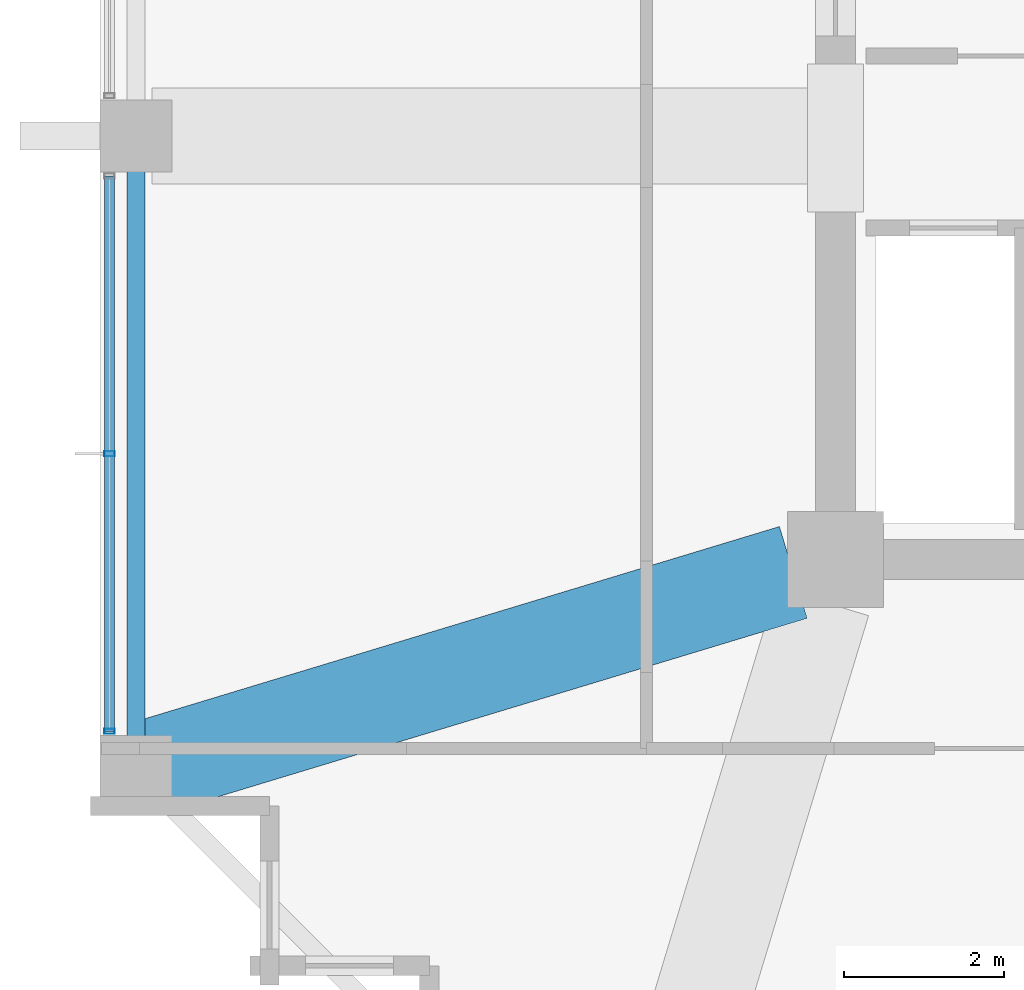
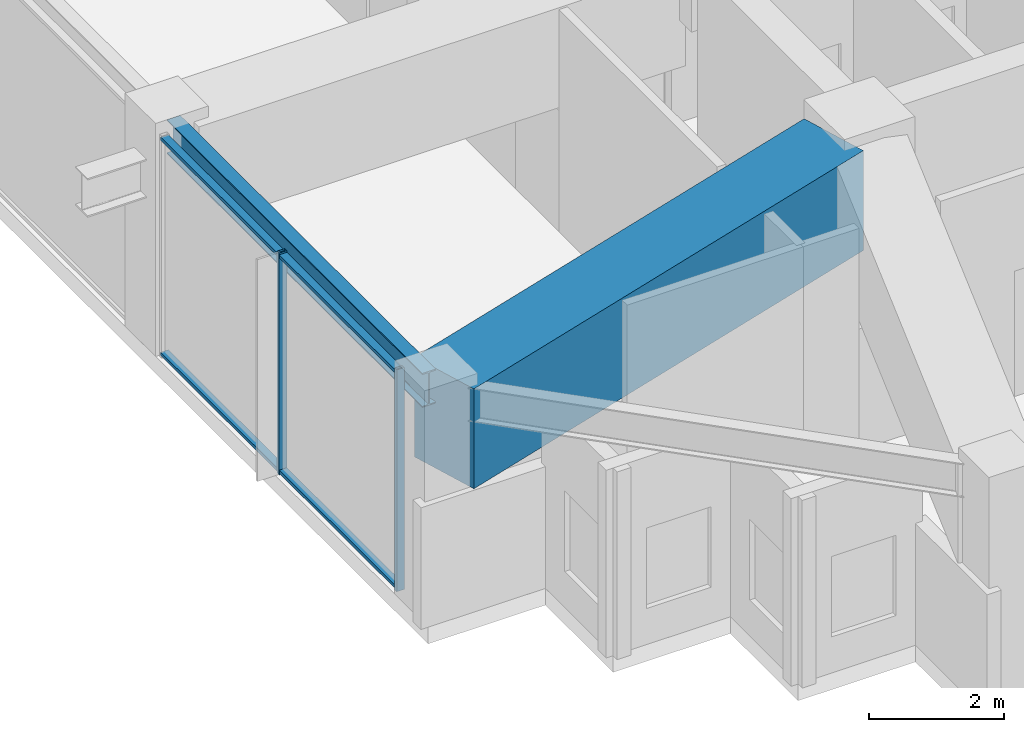
# One storey, part 4 of 33: 4 members, 2 beams, 1 element without a shape of its own.
"""IFC4 building model written with IfcOpenShell, lengths in metres."""

import ifcopenshell
import ifcopenshell.guid

model = None  # the IFC model being written
_history = None  # IfcOwnerHistory: only IFC2X3 demands one
_inside = {}  # id of a spatial element -> (the spatial element, [elements in it])
_under = {}  # id of a project, library or spatial element -> (it, [spatial elements below it])
_declared = {}  # id of a project -> (the project, [libraries it declares])
_typed = {}  # id of a type object -> (the type object, [elements of that type])
_made_of = {}  # id of a material, layer set ... -> (it, [elements and type objects made of it])


def new_model(schema):
    """Start an empty IFC model of exactly this schema.

    Asked for "IFC4X3", IfcOpenShell would pick the latest addendum, in which some entities
    have other attributes; the version numbers below select the first issue.
    IFC2X3 requires an IfcOwnerHistory on every rooted entity: one is made here for all.
    """
    global model, _history
    if schema == "IFC4X3":
        model = ifcopenshell.file(schema_version=(4, 3, 0, 0))
    else:
        model = ifcopenshell.file(schema=schema)
    _inside.clear()
    _under.clear()
    _declared.clear()
    _typed.clear()
    _made_of.clear()
    _history = None
    if model.schema == "IFC2X3":
        org = make("IfcOrganization", Name="unknown")
        user = make(
            "IfcPersonAndOrganization",
            ThePerson=make("IfcPerson", FamilyName="unknown"),
            TheOrganization=org,
        )
        app = make(
            "IfcApplication",
            ApplicationDeveloper=org,
            Version="unknown",
            ApplicationFullName="unknown",
            ApplicationIdentifier="unknown",
        )
        _history = make(
            "IfcOwnerHistory",
            OwningUser=user,
            OwningApplication=app,
            ChangeAction="ADDED",
            CreationDate=0,
        )
    return model


def make(cls, **values):
    """One entity of the class cls with the attributes given. An attribute that is None is left unset."""
    return model.create_entity(
        cls, **{name: value for name, value in values.items() if value is not None}
    )


def rooted(cls, **values):
    """An entity with a GlobalId (a new one), such as an element, a storey or a relation."""
    return make(cls, GlobalId=ifcopenshell.guid.new(), OwnerHistory=_history, **values)


def si_unit(unit_type, name, prefix=None):
    """IfcSIUnit, for example si_unit("LENGTHUNIT", "METRE", prefix="MILLI")."""
    return make("IfcSIUnit", UnitType=unit_type, Prefix=prefix, Name=name)


def assignment(units):
    """IfcUnitAssignment: the units of a project."""
    return None if units is None else make("IfcUnitAssignment", Units=units)


def point(xyz):
    """IfcCartesianPoint."""
    return None if xyz is None else make("IfcCartesianPoint", Coordinates=xyz)


def direction(xyz):
    """IfcDirection."""
    return None if xyz is None else make("IfcDirection", DirectionRatios=xyz)


def frame(location, z_axis=None, x_axis=None):
    """IfcAxis2Placement3D, a coordinate frame: its origin and axes. An axis left out is left unset."""
    return make(
        "IfcAxis2Placement3D",
        Location=point(location),
        Axis=direction(z_axis),
        RefDirection=direction(x_axis),
    )


def frame_2d(location, x_axis=None):
    """IfcAxis2Placement2D, a coordinate frame in the plane: its origin and x axis."""
    return make(
        "IfcAxis2Placement2D", Location=point(location), RefDirection=direction(x_axis)
    )


def origin():
    """The frame at (0, 0, 0) with its axes left unset."""
    return frame((0.0, 0.0, 0.0))


def origin_2d():
    """The frame at (0, 0) in the plane with its x axis left unset."""
    return frame_2d((0.0, 0.0))


def place(relative_to, where):
    """IfcLocalPlacement: puts the frame where relative to a parent placement (None: the world)."""
    return make(
        "IfcLocalPlacement", PlacementRelTo=relative_to, RelativePlacement=where
    )


def context(
    kind, dimensions, precision=None, world=None, true_north=None, identifier=None
):
    """IfcGeometricRepresentationContext, for example the 3D "Model" context."""
    return make(
        "IfcGeometricRepresentationContext",
        ContextIdentifier=identifier,
        ContextType=kind,
        CoordinateSpaceDimension=dimensions,
        Precision=precision,
        WorldCoordinateSystem=world,
        TrueNorth=true_north,
    )


def subcontext(parent, identifier, kind, view, scale=None):
    """IfcGeometricRepresentationSubContext, for example "Body" below "Model"."""
    return make(
        "IfcGeometricRepresentationSubContext",
        ContextIdentifier=identifier,
        ContextType=kind,
        ParentContext=parent,
        TargetScale=scale,
        TargetView=view,
    )


def project(units=None, contexts=None):
    """IfcProject with its units and contexts."""
    return rooted(
        "IfcProject",
        Name="project",
        RepresentationContexts=contexts,
        UnitsInContext=assignment(units),
    )


def spatial(cls, under=None, at=None, **own):
    """A site, building, storey or space (cls), placed at a placement, below another one or the project."""
    s = rooted(cls, ObjectPlacement=at, **own)
    if under is not None:
        _under.setdefault(under.id(), (under, []))[1].append(s)
    return s


def profile(cls, at=None, kind="AREA", **sizes):
    """A parametric profile (cls). Its sizes go by their IFC names, for example OverallWidth=200.0."""
    return make(cls, ProfileType=kind, Position=at, **sizes)


def rectangle(**sizes):
    """IfcRectangleProfileDef."""
    return profile("IfcRectangleProfileDef", **sizes)


def hollow_rectangle(**sizes):
    """IfcRectangleHollowProfileDef."""
    return profile("IfcRectangleHollowProfileDef", **sizes)


def i_section(**sizes):
    """IfcIShapeProfileDef."""
    return profile("IfcIShapeProfileDef", **sizes)


def extrude(swept, where, along, depth):
    """IfcExtrudedAreaSolid: the profile swept, set in the frame where, extruded along a direction by depth."""
    return make(
        "IfcExtrudedAreaSolid",
        SweptArea=swept,
        Position=where,
        ExtrudedDirection=direction(along),
        Depth=depth,
    )


def shape(context_of_items, identifier, shape_type, items):
    """IfcShapeRepresentation: the items that make up one representation, for example the "Body"."""
    return make(
        "IfcShapeRepresentation",
        ContextOfItems=context_of_items,
        RepresentationIdentifier=identifier,
        RepresentationType=shape_type,
        Items=items,
    )


def material(Name=None, Category=None):
    """IfcMaterial."""
    return make("IfcMaterial", Name=Name, Category=Category)


def material_profile(
    of_material, cross_section, Name=None, Category=None, Priority=None
):
    """IfcMaterialProfile: a cross section and its material."""
    return make(
        "IfcMaterialProfile",
        Name=Name,
        Material=of_material,
        Profile=cross_section,
        Priority=Priority,
        Category=Category,
    )


def profile_set(profiles, Name=None, composite=None):
    """IfcMaterialProfileSet."""
    return make(
        "IfcMaterialProfileSet",
        Name=Name,
        MaterialProfiles=profiles,
        CompositeProfile=composite,
    )


def made_of(thing, what):
    """Note that an element or type object is made of a material, layer set ...; save() writes the relation."""
    if what is not None:
        _made_of.setdefault(what.id(), (what, []))[1].append(thing)
    return thing


def type_object(cls, material=None, **own):
    """A type object (cls), such as IfcWallType, which elements share."""
    return made_of(rooted(cls, **own), material)


def element(
    cls,
    number,
    at=None,
    inside=None,
    cuts=None,
    type_object=None,
    material=None,
    context=None,
    identifier="Body",
    shape_type=None,
    held_by="IfcProductDefinitionShape",
    body=None,
    shapes=None,
    **own,
):
    """One element of the class cls, such as IfcWall. Its Tag is "e" and its number.

    at: its placement. inside: the storey or other place that contains it. cuts: it is an
    opening in that element (IfcRelVoidsElement). A single representation is given by context,
    identifier, shape_type and body (its items); several are given by shapes. held_by: the class
    of the entity that holds the representations. save() writes the other relations.
    """
    e = rooted(cls, Tag="e%d" % number, ObjectPlacement=at, **own)
    if body is not None:
        shapes = [shape(context, identifier, shape_type, body)]
    if shapes is not None:
        e.Representation = make(held_by, Representations=shapes)
    if inside is not None:
        _inside.setdefault(inside.id(), (inside, []))[1].append(e)
    if cuts is not None:
        rooted(
            "IfcRelVoidsElement", RelatingBuildingElement=cuts, RelatedOpeningElement=e
        )
    if type_object is not None:
        _typed.setdefault(type_object.id(), (type_object, []))[1].append(e)
    return made_of(e, material)


def aggregate(whole, parts):
    """IfcRelAggregates: a whole, such as a stair, and the parts it consists of."""
    return rooted("IfcRelAggregates", RelatingObject=whole, RelatedObjects=parts)


def save(model, path):
    """Write the relations noted so far, then the file.

    IfcRelAggregates (storeys below a building ...), IfcRelContainedInSpatialStructure (elements
    in a storey), IfcRelDefinesByType, IfcRelAssociatesMaterial and IfcRelDeclares: one each for
    every whole, place, type object, material and project.
    """
    for whole, parts in _under.values():
        aggregate(whole, parts)
    for where, things in _inside.values():
        rooted(
            "IfcRelContainedInSpatialStructure",
            RelatedElements=things,
            RelatingStructure=where,
        )
    for kind, things in _typed.values():
        rooted("IfcRelDefinesByType", RelatedObjects=things, RelatingType=kind)
    for what, things in _made_of.values():
        rooted("IfcRelAssociatesMaterial", RelatedObjects=things, RelatingMaterial=what)
    for by, libraries in _declared.values():
        rooted("IfcRelDeclares", RelatingContext=by, RelatedDefinitions=libraries)
    model.write(path)


model = new_model("IFC4")

# Units and contexts
model_context = context("Model", 3, precision=1e-05, world=origin(), true_north=direction((0.0, 1.0)))
body_context = subcontext(model_context, "Body", "Model", "MODEL_VIEW")
ifc_project = project(units=[si_unit("LENGTHUNIT", "METRE"), si_unit("AREAUNIT", "SQUARE_METRE"), si_unit("VOLUMEUNIT", "CUBIC_METRE"), si_unit("PLANEANGLEUNIT", "RADIAN"), si_unit("MASSUNIT", "GRAM", prefix="KILO")], contexts=[model_context])

# Site, building, storey
site_placement = place(None, origin())
site = spatial("IfcSite", under=ifc_project, at=site_placement, CompositionType="ELEMENT")
building_placement = place(site_placement, origin())
building = spatial("IfcBuilding", under=site, at=building_placement, Name="Kolvaren Belvedere", CompositionType="ELEMENT")
storey_placement = place(building_placement, frame((0.0, 0.0, 152.699951171875)))
storey = spatial("IfcBuildingStorey", under=building, at=storey_placement, Name="L44", CompositionType="ELEMENT", Elevation=152.699951171875)

# Beams
ifc_material_1 = material(Name="Structural steel ASTM A992 Grade 50", Category="steel")
ifc_material_profile_1 = material_profile(ifc_material_1, i_section(OverallWidth=0.22900390625, OverallDepth=0.612060546875, WebThickness=0.011962890625, FlangeThickness=0.01953125, FilletRadius=0.01806640625, at=origin_2d()), Name="W24X84")
ifc_profile_set_1 = profile_set([ifc_material_profile_1], Name="Structural steel ASTM A992 Grade 50")
beam_type_1 = type_object("IfcBeamType", Name="BM-SPAN-W24X84", PredefinedType="SPANDREL", material=ifc_profile_set_1)
beam_1_placement = place(storey_placement, frame((-18.64990234375, -4.802490234375, 3.694091796875), z_axis=(0.0, -1.0, 0.0), x_axis=(1.0, 0.0, 0.0)))
element("IfcBeam", 1, at=beam_1_placement, inside=storey, type_object=beam_type_1, Name="L44 Perimeter Spandrel W2-W1", PredefinedType="SPANDREL", context=body_context, shape_type="SweptSolid", body=[
    extrude(i_section(OverallWidth=0.22900390625, OverallDepth=0.612060546875, WebThickness=0.011962890625, FlangeThickness=0.01953125, FilletRadius=0.01806640625, at=origin_2d()), origin(), (0.0, 0.0, 1.0), 7.544921875),
])
ifc_material_2 = material(Name="Concrete C50/60", Category="concrete")
ifc_material_profile_2 = material_profile(ifc_material_2, rectangle(XDim=1.199951171875, YDim=1.800048828125, at=origin_2d()), Name="RC 1200X1800")
ifc_profile_set_2 = profile_set([ifc_material_profile_2], Name="Concrete C50/60")
beam_type_2 = type_object("IfcBeamType", Name="BM-TG-1800", PredefinedType="BEAM", material=ifc_profile_set_2)
beam_2_placement = place(storey_placement, frame((-10.426513671875, -10.059326171875, 3.10009765625), z_axis=(-0.957067352423, -0.289865629086, 0.0), x_axis=(0.289865629086, -0.957067352423, 0.0)))
element("IfcBeam", 2, at=beam_2_placement, inside=storey, type_object=beam_type_2, Name="L44 Corner Core-to-Perimeter Girder CC1-W1", PredefinedType="BEAM", context=body_context, shape_type="SweptSolid", body=[
    extrude(rectangle(XDim=1.199951171875, YDim=1.800048828125, at=origin_2d()), origin(), (0.0, 0.0, 1.0), 8.412353515625),
])

# Curtain wall, members
ifc_material_3 = material(Name="Anodised pale-metal aluminium AA 6063-T6", Category="aluminium")
curtain_wall_type = type_object("IfcCurtainWallType", Name="CW-Z3-WAIST", PredefinedType="NOTDEFINED", material=ifc_material_3)
curtain_wall_placement = place(storey_placement, origin())
curtain_wall = element("IfcCurtainWall", 3, at=curtain_wall_placement, inside=storey, type_object=curtain_wall_type, Name="L44 Unitised Curtain Wall FCW-L44-W-B1", PredefinedType="NOTDEFINED")
ifc_material_4 = material(Name="Anodised pale-metal aluminium AA 6063-T6", Category="aluminium")
ifc_material_profile_3 = material_profile(ifc_material_4, hollow_rectangle(XDim=0.06494140625, YDim=0.1298828125, WallThickness=0.00390625, at=origin_2d()), Name="ALU-MUL-130X65")
ifc_profile_set_3 = profile_set([ifc_material_profile_3], Name="Anodised pale-metal aluminium AA 6063-T6")
member_type_1 = type_object("IfcMemberType", Name="CW-MUL-130", PredefinedType="MULLION", material=ifc_profile_set_3)
member_1_placement = place(storey_placement, frame((-18.97998046875, -12.047607421875, 0.0), z_axis=(0.0, 0.0, 1.0), x_axis=(0.0, 1.0, 0.0)))
member_1 = element("IfcMember", 4, at=member_1_placement, type_object=member_type_1, Name="FCW-L44-W-B1 Unitised Mullion 1", PredefinedType="MULLION", context=body_context, shape_type="SweptSolid", body=[
    extrude(hollow_rectangle(XDim=0.06494140625, YDim=0.1298828125, WallThickness=0.00390625, at=origin_2d()), origin(), (0.0, 0.0, 1.0), 4.0),
])
member_2_placement = place(storey_placement, frame((-18.97998046875, -8.574951171875, 0.0), z_axis=(0.0, 0.0, 1.0), x_axis=(0.0, 1.0, 0.0)))
member_2 = element("IfcMember", 5, at=member_2_placement, type_object=member_type_1, Name="FCW-L44-W-B1 Unitised Mullion 2", PredefinedType="MULLION", context=body_context, shape_type="SweptSolid", body=[
    extrude(hollow_rectangle(XDim=0.06494140625, YDim=0.1298828125, WallThickness=0.00390625, at=origin_2d()), origin(), (0.0, 0.0, 1.0), 4.0),
])
ifc_material_5 = material(Name="Anodised pale-metal aluminium AA 6063-T6", Category="aluminium")
ifc_material_profile_4 = material_profile(ifc_material_5, hollow_rectangle(XDim=0.06005859375, YDim=0.1298828125, WallThickness=0.00390625, at=origin_2d()), Name="ALU-TRN-130X60")
ifc_profile_set_4 = profile_set([ifc_material_profile_4], Name="Anodised pale-metal aluminium AA 6063-T6")
member_type_2 = type_object("IfcMemberType", Name="CW-TRN-130", PredefinedType="USERDEFINED", material=ifc_profile_set_4)
member_3_placement = place(storey_placement, frame((-18.97998046875, -12.047607421875, 0.06005859375), z_axis=(0.0, 1.0, 0.0), x_axis=(0.0, 0.0, 1.0)))
member_3 = element("IfcMember", 6, at=member_3_placement, type_object=member_type_2, Name="FCW-L44-W-B1 Sill Transom", ObjectType="TRANSOM", PredefinedType="USERDEFINED", context=body_context, shape_type="SweptSolid", body=[
    extrude(hollow_rectangle(XDim=0.06005859375, YDim=0.1298828125, WallThickness=0.00390625, at=origin_2d()), origin(), (0.0, 0.0, 1.0), 6.945068359375),
])
member_4_placement = place(storey_placement, frame((-18.97998046875, -12.047607421875, 3.93994140625), z_axis=(0.0, 1.0, 0.0), x_axis=(0.0, 0.0, 1.0)))
member_4 = element("IfcMember", 7, at=member_4_placement, type_object=member_type_2, Name="FCW-L44-W-B1 Head Transom", ObjectType="TRANSOM", PredefinedType="USERDEFINED", context=body_context, shape_type="SweptSolid", body=[
    extrude(hollow_rectangle(XDim=0.06005859375, YDim=0.1298828125, WallThickness=0.00390625, at=origin_2d()), origin(), (0.0, 0.0, 1.0), 6.945068359375),
])
aggregate(curtain_wall, [member_1, member_2, member_3, member_4])

save(model, "model.ifc")
